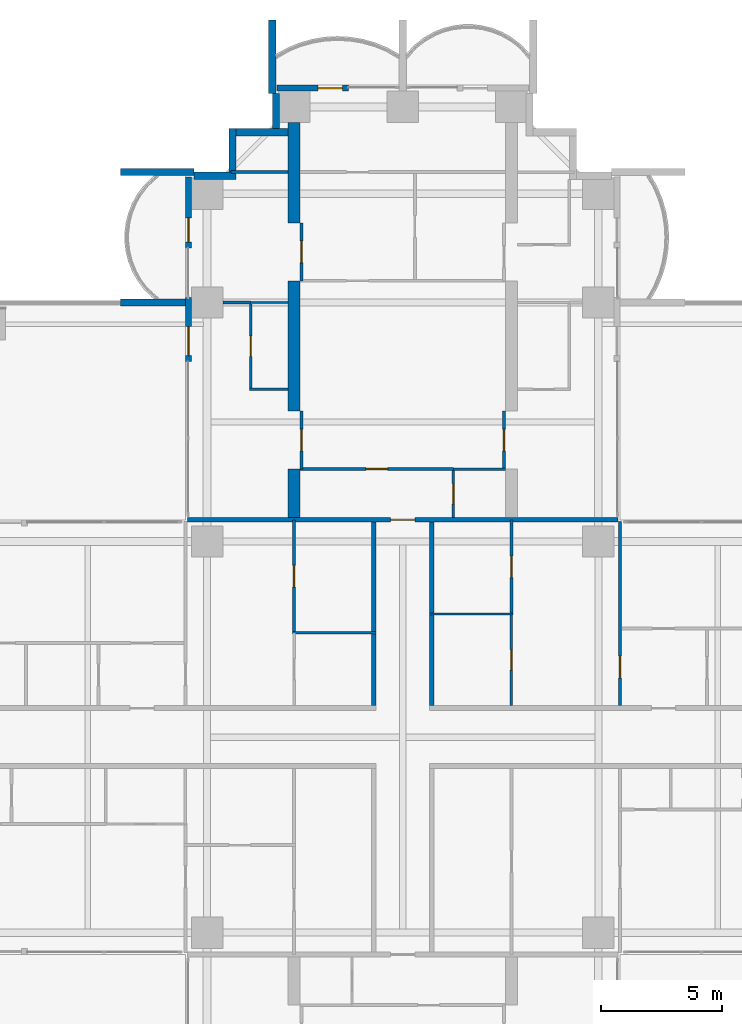
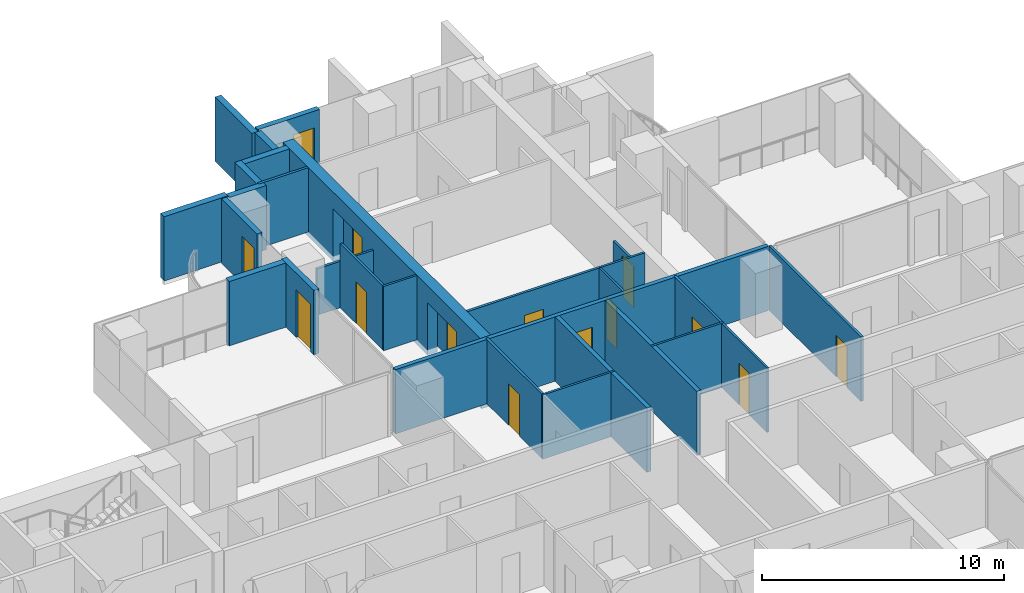
# One storey, part 14 of 21: 31 walls, 14 doors, 14 openings.
"""IFC4 building model written with IfcOpenShell, lengths in metres."""

import ifcopenshell
import ifcopenshell.guid

model = None  # the IFC model being written
_history = None  # IfcOwnerHistory: only IFC2X3 demands one
_inside = {}  # id of a spatial element -> (the spatial element, [elements in it])
_under = {}  # id of a project, library or spatial element -> (it, [spatial elements below it])
_declared = {}  # id of a project -> (the project, [libraries it declares])
_typed = {}  # id of a type object -> (the type object, [elements of that type])
_made_of = {}  # id of a material, layer set ... -> (it, [elements and type objects made of it])


def new_model(schema):
    """Start an empty IFC model of exactly this schema.

    Asked for "IFC4X3", IfcOpenShell would pick the latest addendum, in which some entities
    have other attributes; the version numbers below select the first issue.
    IFC2X3 requires an IfcOwnerHistory on every rooted entity: one is made here for all.
    """
    global model, _history
    if schema == "IFC4X3":
        model = ifcopenshell.file(schema_version=(4, 3, 0, 0))
    else:
        model = ifcopenshell.file(schema=schema)
    _inside.clear()
    _under.clear()
    _declared.clear()
    _typed.clear()
    _made_of.clear()
    _history = None
    if model.schema == "IFC2X3":
        org = make("IfcOrganization", Name="unknown")
        user = make(
            "IfcPersonAndOrganization",
            ThePerson=make("IfcPerson", FamilyName="unknown"),
            TheOrganization=org,
        )
        app = make(
            "IfcApplication",
            ApplicationDeveloper=org,
            Version="unknown",
            ApplicationFullName="unknown",
            ApplicationIdentifier="unknown",
        )
        _history = make(
            "IfcOwnerHistory",
            OwningUser=user,
            OwningApplication=app,
            ChangeAction="ADDED",
            CreationDate=0,
        )
    return model


def make(cls, **values):
    """One entity of the class cls with the attributes given. An attribute that is None is left unset."""
    return model.create_entity(
        cls, **{name: value for name, value in values.items() if value is not None}
    )


def rooted(cls, **values):
    """An entity with a GlobalId (a new one), such as an element, a storey or a relation."""
    return make(cls, GlobalId=ifcopenshell.guid.new(), OwnerHistory=_history, **values)


def si_unit(unit_type, name, prefix=None):
    """IfcSIUnit, for example si_unit("LENGTHUNIT", "METRE", prefix="MILLI")."""
    return make("IfcSIUnit", UnitType=unit_type, Prefix=prefix, Name=name)


def assignment(units):
    """IfcUnitAssignment: the units of a project."""
    return None if units is None else make("IfcUnitAssignment", Units=units)


def point(xyz):
    """IfcCartesianPoint."""
    return None if xyz is None else make("IfcCartesianPoint", Coordinates=xyz)


def direction(xyz):
    """IfcDirection."""
    return None if xyz is None else make("IfcDirection", DirectionRatios=xyz)


def frame(location, z_axis=None, x_axis=None):
    """IfcAxis2Placement3D, a coordinate frame: its origin and axes. An axis left out is left unset."""
    return make(
        "IfcAxis2Placement3D",
        Location=point(location),
        Axis=direction(z_axis),
        RefDirection=direction(x_axis),
    )


def frame_2d(location, x_axis=None):
    """IfcAxis2Placement2D, a coordinate frame in the plane: its origin and x axis."""
    return make(
        "IfcAxis2Placement2D", Location=point(location), RefDirection=direction(x_axis)
    )


def origin():
    """The frame at (0, 0, 0) with its axes left unset."""
    return frame((0.0, 0.0, 0.0))


def place(relative_to, where):
    """IfcLocalPlacement: puts the frame where relative to a parent placement (None: the world)."""
    return make(
        "IfcLocalPlacement", PlacementRelTo=relative_to, RelativePlacement=where
    )


def context(
    kind, dimensions, precision=None, world=None, true_north=None, identifier=None
):
    """IfcGeometricRepresentationContext, for example the 3D "Model" context."""
    return make(
        "IfcGeometricRepresentationContext",
        ContextIdentifier=identifier,
        ContextType=kind,
        CoordinateSpaceDimension=dimensions,
        Precision=precision,
        WorldCoordinateSystem=world,
        TrueNorth=true_north,
    )


def subcontext(parent, identifier, kind, view, scale=None):
    """IfcGeometricRepresentationSubContext, for example "Body" below "Model"."""
    return make(
        "IfcGeometricRepresentationSubContext",
        ContextIdentifier=identifier,
        ContextType=kind,
        ParentContext=parent,
        TargetScale=scale,
        TargetView=view,
    )


def project(units=None, contexts=None):
    """IfcProject with its units and contexts."""
    return rooted(
        "IfcProject",
        Name="project",
        RepresentationContexts=contexts,
        UnitsInContext=assignment(units),
    )


def spatial(cls, under=None, at=None, **own):
    """A site, building, storey or space (cls), placed at a placement, below another one or the project."""
    s = rooted(cls, ObjectPlacement=at, **own)
    if under is not None:
        _under.setdefault(under.id(), (under, []))[1].append(s)
    return s


def polyline(points):
    """IfcPolyline through the points."""
    return make("IfcPolyline", Points=[point(p) for p in points])


def profile(cls, at=None, kind="AREA", **sizes):
    """A parametric profile (cls). Its sizes go by their IFC names, for example OverallWidth=200.0."""
    return make(cls, ProfileType=kind, Position=at, **sizes)


def rectangle(**sizes):
    """IfcRectangleProfileDef."""
    return profile("IfcRectangleProfileDef", **sizes)


def outline(outer, holes=None, kind="AREA"):
    """IfcArbitraryClosedProfileDef: a profile drawn as a closed curve; with holes, ...WithVoids."""
    if holes is None:
        return make("IfcArbitraryClosedProfileDef", ProfileType=kind, OuterCurve=outer)
    return make(
        "IfcArbitraryProfileDefWithVoids",
        ProfileType=kind,
        OuterCurve=outer,
        InnerCurves=holes,
    )


def extrude(swept, where, along, depth):
    """IfcExtrudedAreaSolid: the profile swept, set in the frame where, extruded along a direction by depth."""
    return make(
        "IfcExtrudedAreaSolid",
        SweptArea=swept,
        Position=where,
        ExtrudedDirection=direction(along),
        Depth=depth,
    )


def shape(context_of_items, identifier, shape_type, items):
    """IfcShapeRepresentation: the items that make up one representation, for example the "Body"."""
    return make(
        "IfcShapeRepresentation",
        ContextOfItems=context_of_items,
        RepresentationIdentifier=identifier,
        RepresentationType=shape_type,
        Items=items,
    )


def material(Name=None, Category=None):
    """IfcMaterial."""
    return make("IfcMaterial", Name=Name, Category=Category)


def layer(
    of_material, thickness, ventilated=None, Name=None, Category=None, Priority=None
):
    """IfcMaterialLayer: one layer of a wall or slab, of a material (None: an air gap)."""
    return make(
        "IfcMaterialLayer",
        Material=of_material,
        LayerThickness=thickness,
        IsVentilated=ventilated,
        Name=Name,
        Category=Category,
        Priority=Priority,
    )


def layer_set(layers, Name=None):
    """IfcMaterialLayerSet."""
    return make("IfcMaterialLayerSet", MaterialLayers=layers, LayerSetName=Name)


def material_profile(
    of_material, cross_section, Name=None, Category=None, Priority=None
):
    """IfcMaterialProfile: a cross section and its material."""
    return make(
        "IfcMaterialProfile",
        Name=Name,
        Material=of_material,
        Profile=cross_section,
        Priority=Priority,
        Category=Category,
    )


def profile_set(profiles, Name=None, composite=None):
    """IfcMaterialProfileSet."""
    return make(
        "IfcMaterialProfileSet",
        Name=Name,
        MaterialProfiles=profiles,
        CompositeProfile=composite,
    )


def made_of(thing, what):
    """Note that an element or type object is made of a material, layer set ...; save() writes the relation."""
    if what is not None:
        _made_of.setdefault(what.id(), (what, []))[1].append(thing)
    return thing


def type_object(cls, material=None, **own):
    """A type object (cls), such as IfcWallType, which elements share."""
    return made_of(rooted(cls, **own), material)


def element(
    cls,
    number,
    at=None,
    inside=None,
    cuts=None,
    type_object=None,
    material=None,
    context=None,
    identifier="Body",
    shape_type=None,
    held_by="IfcProductDefinitionShape",
    body=None,
    shapes=None,
    **own,
):
    """One element of the class cls, such as IfcWall. Its Tag is "e" and its number.

    at: its placement. inside: the storey or other place that contains it. cuts: it is an
    opening in that element (IfcRelVoidsElement). A single representation is given by context,
    identifier, shape_type and body (its items); several are given by shapes. held_by: the class
    of the entity that holds the representations. save() writes the other relations.
    """
    e = rooted(cls, Tag="e%d" % number, ObjectPlacement=at, **own)
    if body is not None:
        shapes = [shape(context, identifier, shape_type, body)]
    if shapes is not None:
        e.Representation = make(held_by, Representations=shapes)
    if inside is not None:
        _inside.setdefault(inside.id(), (inside, []))[1].append(e)
    if cuts is not None:
        rooted(
            "IfcRelVoidsElement", RelatingBuildingElement=cuts, RelatedOpeningElement=e
        )
    if type_object is not None:
        _typed.setdefault(type_object.id(), (type_object, []))[1].append(e)
    return made_of(e, material)


def fill(opening, filler):
    """IfcRelFillsElement: the door or window that sits in an opening."""
    return rooted(
        "IfcRelFillsElement",
        RelatingOpeningElement=opening,
        RelatedBuildingElement=filler,
    )


def aggregate(whole, parts):
    """IfcRelAggregates: a whole, such as a stair, and the parts it consists of."""
    return rooted("IfcRelAggregates", RelatingObject=whole, RelatedObjects=parts)


def save(model, path):
    """Write the relations noted so far, then the file.

    IfcRelAggregates (storeys below a building ...), IfcRelContainedInSpatialStructure (elements
    in a storey), IfcRelDefinesByType, IfcRelAssociatesMaterial and IfcRelDeclares: one each for
    every whole, place, type object, material and project.
    """
    for whole, parts in _under.values():
        aggregate(whole, parts)
    for where, things in _inside.values():
        rooted(
            "IfcRelContainedInSpatialStructure",
            RelatedElements=things,
            RelatingStructure=where,
        )
    for kind, things in _typed.values():
        rooted("IfcRelDefinesByType", RelatedObjects=things, RelatingType=kind)
    for what, things in _made_of.values():
        rooted("IfcRelAssociatesMaterial", RelatedObjects=things, RelatingMaterial=what)
    for by, libraries in _declared.values():
        rooted("IfcRelDeclares", RelatingContext=by, RelatedDefinitions=libraries)
    model.write(path)


model = new_model("IFC4")

# Units and contexts
model_context = context("Model", 3, precision=1e-05, world=origin(), true_north=direction((0.0, 1.0)))
body_context = subcontext(model_context, "Body", "Model", "MODEL_VIEW")
ifc_project = project(units=[si_unit("LENGTHUNIT", "METRE"), si_unit("AREAUNIT", "SQUARE_METRE"), si_unit("VOLUMEUNIT", "CUBIC_METRE"), si_unit("PLANEANGLEUNIT", "RADIAN"), si_unit("MASSUNIT", "GRAM", prefix="KILO")], contexts=[model_context])

# Site, building, storey
site_placement = place(None, origin())
site = spatial("IfcSite", under=ifc_project, at=site_placement, CompositionType="ELEMENT")
building_placement = place(site_placement, origin())
building = spatial("IfcBuilding", under=site, at=building_placement, Name="Perihelion Cross Residences", CompositionType="ELEMENT")
storey_placement = place(building_placement, frame((0.0, 0.0, 57.5)))
storey = spatial("IfcBuildingStorey", under=building, at=storey_placement, Name="L11", CompositionType="ELEMENT", Elevation=57.5)

# Walls
ifc_material_1 = material(Name="Plasterboard partition")
ifc_layer_1 = layer(ifc_material_1, 0.199951171875)
ifc_layer_set_1 = layer_set([ifc_layer_1], Name="Apartment separation wall 200")
wall_type_1 = type_object("IfcWallType", Name="Apartment separation wall 200", PredefinedType="PARTITIONING", material=ifc_layer_set_1)
for number, where, z_axis, x_axis, name in (
    (1, (1.199951171875, 8.89990234375, 0.0), (0.0, 0.0, 1.0), (0.0, -1.0, 0.0), "Partition L11 W002"),
    (2, (-1.199951171875, 1.300048828125, 0.0), (0.0, 0.0, 1.0), (0.0, 1.0, 0.0), "Partition L11 W006"),
):
    element("IfcWall", number, at=place(storey_placement, frame(where, z_axis=z_axis, x_axis=x_axis)), inside=storey, type_object=wall_type_1, Name=name, PredefinedType="PARTITIONING", context=body_context, shape_type="SweptSolid", body=[
        extrude(rectangle(XDim=7.599853515625, YDim=0.199951171875, at=frame_2d((3.7998046875, 0.0))), origin(), (0.0, 0.0, 1.0), 3.25),
    ])

# Wall, opening, door
wall_1_placement = place(storey_placement, frame((-8.919921875, 9.0, 0.0), z_axis=(0.0, 0.0, 1.0), x_axis=(1.0, 0.0, 0.0)))
wall_1 = element("IfcWall", 3, at=wall_1_placement, inside=storey, type_object=wall_type_1, Name="Partition L11 W009", PredefinedType="PARTITIONING", context=body_context, shape_type="SweptSolid", body=[
    extrude(rectangle(XDim=17.83984375, YDim=0.199951171875, at=frame_2d((8.919921875, 0.0))), origin(), (0.0, 0.0, 1.0), 3.25),
])
opening_1_placement = place(wall_1_placement, frame((8.419921875, 0.0, 0.0)))
opening_1 = element("IfcOpeningElement", 4, at=opening_1_placement, cuts=wall_1, Name="Opening L11.A36", PredefinedType="OPENING", context=body_context, shape_type="SweptSolid", body=[
    extrude(rectangle(XDim=1.0, YDim=2.10009765625, at=frame_2d((0.5, 1.050048828125))), frame((0.0, 0.10986328125, 0.0), z_axis=(0.0, -1.0, 0.0), x_axis=(1.0, 0.0, 0.0)), (0.0, 0.0, 1.0), 0.219970703125),
])
ifc_material_2 = material(Name="Timber door leaf", Category="wood")
door_type_1 = type_object("IfcDoorType", Name="Flat entrance door 1000 x 2100", OperationType="SINGLE_SWING_LEFT", PredefinedType="DOOR", material=ifc_material_2)
door_1_placement = place(opening_1_placement, origin())
door_1 = element("IfcDoor", 5, at=door_1_placement, inside=storey, type_object=door_type_1, Name="Door L11.A36", OperationType="SINGLE_SWING_RIGHT", OverallHeight=2.10009765625, OverallWidth=1.0, PredefinedType="DOOR", context=body_context, shape_type="SweptSolid", body=[
    extrude(rectangle(XDim=1.0, YDim=2.10009765625, at=frame_2d((0.5, 1.050048828125))), frame((0.0, 0.02490234375, 0.0), z_axis=(0.0, -1.0, 0.0), x_axis=(1.0, 0.0, 0.0)), (0.0, 0.0, 1.0), 0.050048828125),
])
fill(opening_1, door_1)

ifc_material_3 = material(Name="Concrete C30/37, bronze-clad", Category="concrete")
ifc_layer_2 = layer(ifc_material_3, 0.25)
ifc_layer_set_2 = layer_set([ifc_layer_2], Name="Bronze-clad pier wall 250")
wall_type_2 = type_object("IfcWallType", Name="Bronze-clad pier wall 250", PredefinedType="SOLIDWALL", material=ifc_layer_set_2)
wall_2_placement = place(storey_placement, frame((-2.25, 26.875, 0.0), z_axis=(0.0, 0.0, 1.0), x_axis=(-1.0, 0.0, 0.0)))
wall_2 = element("IfcWall", 6, at=wall_2_placement, inside=storey, type_object=wall_type_2, Name="Wall FW1 L11 north tip north bay 2 pier", PredefinedType="SOLIDWALL", context=body_context, shape_type="SweptSolid", body=[
    extrude(rectangle(XDim=2.949951171875, YDim=0.25, at=frame_2d((1.47509765625, 0.0))), origin(), (0.0, 0.0, 1.0), 3.25),
])
opening_2_placement = place(wall_2_placement, frame((0.25, 0.0, 0.0)))
opening_2 = element("IfcOpeningElement", 7, at=opening_2_placement, cuts=wall_2, Name="Opening L11.E05", PredefinedType="OPENING", context=body_context, shape_type="SweptSolid", body=[
    extrude(rectangle(XDim=1.0, YDim=2.39990234375, at=frame_2d((0.5, 1.199951171875))), frame((0.0, 0.135009765625, 0.0), z_axis=(0.0, -1.0, 0.0), x_axis=(1.0, 0.0, 0.0)), (0.0, 0.0, 1.0), 0.27001953125),
])
ifc_material_4 = material(Name="Bronze anodised aluminium, glazed", Category="aluminium")
door_type_2 = type_object("IfcDoorType", Name="Balcony door 1000 x 2400", OperationType="NOTDEFINED", PredefinedType="DOOR", material=ifc_material_4)
door_2_placement = place(opening_2_placement, origin())
door_2 = element("IfcDoor", 8, at=door_2_placement, inside=storey, type_object=door_type_2, Name="Door L11.E05 north tip north bay 2", OperationType="SINGLE_SWING_RIGHT", OverallHeight=2.39990234375, OverallWidth=1.0, PredefinedType="DOOR", context=body_context, shape_type="SweptSolid", body=[
    extrude(rectangle(XDim=1.0, YDim=2.39990234375, at=frame_2d((0.5, 1.199951171875))), frame((0.0, 0.02490234375, 0.0), z_axis=(0.0, -1.0, 0.0), x_axis=(1.0, 0.0, 0.0)), (0.0, 0.0, 1.0), 0.050048828125),
])
fill(opening_2, door_2)

wall_3_placement = place(storey_placement, frame((-8.875, 23.199951171875, 0.0), z_axis=(0.0, 0.0, 1.0), x_axis=(0.0, -1.0, 0.0)))
wall_3 = element("IfcWall", 9, at=wall_3_placement, inside=storey, type_object=wall_type_2, Name="Wall FW1 L11 north side west bay 1 pier", PredefinedType="SOLIDWALL", context=body_context, shape_type="SweptSolid", body=[
    extrude(rectangle(XDim=2.949951171875, YDim=0.25, at=frame_2d((1.47509765625, 0.0))), origin(), (0.0, 0.0, 1.0), 3.25),
])
opening_3_placement = place(wall_3_placement, frame((1.699951171875, 0.0, 0.0)))
opening_3 = element("IfcOpeningElement", 10, at=opening_3_placement, cuts=wall_3, Name="Opening L11.E06", PredefinedType="OPENING", context=body_context, shape_type="SweptSolid", body=[
    extrude(rectangle(XDim=1.0, YDim=2.39990234375, at=frame_2d((0.5, 1.199951171875))), frame((0.0, 0.135009765625, 0.0), z_axis=(0.0, -1.0, 0.0), x_axis=(1.0, 0.0, 0.0)), (0.0, 0.0, 1.0), 0.27001953125),
])
door_3_placement = place(opening_3_placement, origin())
door_3 = element("IfcDoor", 11, at=door_3_placement, inside=storey, type_object=door_type_2, Name="Door L11.E06 north side west bay 1", OperationType="SINGLE_SWING_LEFT", OverallHeight=2.39990234375, OverallWidth=1.0, PredefinedType="DOOR", context=body_context, shape_type="SweptSolid", body=[
    extrude(rectangle(XDim=1.0, YDim=2.39990234375, at=frame_2d((0.5, 1.199951171875))), frame((0.0, 0.02490234375, 0.0), z_axis=(0.0, -1.0, 0.0), x_axis=(1.0, 0.0, 0.0)), (0.0, 0.0, 1.0), 0.050048828125),
])
fill(opening_3, door_3)

wall_4_placement = place(storey_placement, frame((-8.875, 18.199951171875, 0.0), z_axis=(0.0, 0.0, 1.0), x_axis=(0.0, -1.0, 0.0)))
wall_4 = element("IfcWall", 12, at=wall_4_placement, inside=storey, type_object=wall_type_2, Name="Wall FW1 L11 north side west bay 2 pier", PredefinedType="SOLIDWALL", context=body_context, shape_type="SweptSolid", body=[
    extrude(rectangle(XDim=2.64990234375, YDim=0.25, at=frame_2d((1.324951171875, 0.0))), origin(), (0.0, 0.0, 1.0), 3.25),
])
opening_4_placement = place(wall_4_placement, frame((1.199951171875, 0.0, 0.0)))
opening_4 = element("IfcOpeningElement", 13, at=opening_4_placement, cuts=wall_4, Name="Opening L11.E07", PredefinedType="OPENING", context=body_context, shape_type="SweptSolid", body=[
    extrude(rectangle(XDim=1.199951171875, YDim=2.39990234375, at=frame_2d((0.60009765625, 1.199951171875))), frame((0.0, 0.135009765625, 0.0), z_axis=(0.0, -1.0, 0.0), x_axis=(1.0, 0.0, 0.0)), (0.0, 0.0, 1.0), 0.27001953125),
])
ifc_material_5 = material(Name="Bronze anodised aluminium, glazed", Category="aluminium")
door_type_3 = type_object("IfcDoorType", Name="Balcony door 1200 x 2400", OperationType="NOTDEFINED", PredefinedType="DOOR", material=ifc_material_5)
door_4_placement = place(opening_4_placement, origin())
door_4 = element("IfcDoor", 14, at=door_4_placement, inside=storey, type_object=door_type_3, Name="Door L11.E07 north side west bay 2", OperationType="SINGLE_SWING_RIGHT", OverallHeight=2.39990234375, OverallWidth=1.199951171875, PredefinedType="DOOR", context=body_context, shape_type="SweptSolid", body=[
    extrude(rectangle(XDim=1.199951171875, YDim=2.39990234375, at=frame_2d((0.60009765625, 1.199951171875))), frame((0.0, 0.02490234375, 0.0), z_axis=(0.0, -1.0, 0.0), x_axis=(1.0, 0.0, 0.0)), (0.0, 0.0, 1.0), 0.050048828125),
])
fill(opening_4, door_4)

# Walls
ifc_material_6 = material(Name="Concrete C30/37, bronze-clad", Category="concrete")
ifc_layer_3 = layer(ifc_material_6, 0.300048828125)
ifc_layer_set_3 = layer_set([ifc_layer_3], Name="Bronze-clad serration wall 300")
wall_type_3 = type_object("IfcWallType", Name="Bronze-clad serration wall 300", PredefinedType="SOLIDWALL", material=ifc_layer_set_3)
wall_5_placement = place(storey_placement, frame((-5.25, 26.64990234375, 0.0), z_axis=(0.0, 0.0, 1.0), x_axis=(0.0, -1.0, 0.0)))
element("IfcWall", 15, at=wall_5_placement, inside=storey, type_object=wall_type_3, Name="Wall SR1 L11 north corner north-west 1", PredefinedType="SOLIDWALL", context=body_context, shape_type="SweptSolid", body=[
    extrude(rectangle(XDim=1.449951171875, YDim=0.300048828125, at=frame_2d((0.72509765625, 0.0))), origin(), (0.0, 0.0, 1.0), 3.25),
])
wall_6_placement = place(storey_placement, frame((-4.75, 25.050048828125, 0.0), z_axis=(0.0, 0.0, 1.0), x_axis=(-1.0, 0.0, 0.0)))
element("IfcWall", 16, at=wall_6_placement, inside=storey, type_object=wall_type_3, Name="Wall SR1 L11 north corner north-west 2", PredefinedType="SOLIDWALL", context=body_context, shape_type="SweptSolid", body=[
    extrude(rectangle(XDim=2.14990234375, YDim=0.300048828125, at=frame_2d((1.074951171875, 0.0))), origin(), (0.0, 0.0, 1.0), 3.25),
])
wall_7_placement = place(storey_placement, frame((-7.050048828125, 25.199951171875, 0.0), z_axis=(0.0, 0.0, 1.0), x_axis=(0.0, -1.0, 0.0)))
element("IfcWall", 17, at=wall_7_placement, inside=storey, type_object=wall_type_3, Name="Wall SR1 L11 north corner north-west 3", PredefinedType="SOLIDWALL", context=body_context, shape_type="SweptSolid", body=[
    extrude(rectangle(XDim=1.800048828125, YDim=0.300048828125, at=frame_2d((0.89990234375, 0.0))), origin(), (0.0, 0.0, 1.0), 3.25),
])
wall_8_placement = place(storey_placement, frame((-6.89990234375, 23.25, 0.0), z_axis=(0.0, 0.0, 1.0), x_axis=(-1.0, 0.0, 0.0)))
element("IfcWall", 18, at=wall_8_placement, inside=storey, type_object=wall_type_3, Name="Wall SR1 L11 north corner north-west 4", PredefinedType="SOLIDWALL", context=body_context, shape_type="SweptSolid", body=[
    extrude(rectangle(XDim=1.75, YDim=0.300048828125, at=frame_2d((0.875, 0.0))), origin(), (0.0, 0.0, 1.0), 3.25),
])

# Wall, opening, door
ifc_material_7 = material(Name="Plasterboard partition")
ifc_layer_4 = layer(ifc_material_7, 0.1201171875)
ifc_layer_set_4 = layer_set([ifc_layer_4], Name="Infill panel 120")
wall_type_4 = type_object("IfcWallType", Name="Infill panel 120", PredefinedType="PARTITIONING", material=ifc_layer_set_4)
wall_9_placement = place(storey_placement, frame((4.18994140625, 11.10009765625, 0.0), z_axis=(0.0, 0.0, 1.0), x_axis=(0.0, 1.0, 0.0)))
wall_9 = element("IfcWall", 19, at=wall_9_placement, inside=storey, type_object=wall_type_4, Name="Partition L11 WI01", PredefinedType="PARTITIONING", context=body_context, shape_type="SweptSolid", body=[
    extrude(rectangle(XDim=2.39990234375, YDim=0.1201171875, at=frame_2d((1.199951171875, 0.0))), origin(), (0.0, 0.0, 1.0), 2.39990234375),
])
opening_5_placement = place(wall_9_placement, frame((0.75, 0.0, 0.0)))
opening_5 = element("IfcOpeningElement", 20, at=opening_5_placement, cuts=wall_9, Name="Opening L11.A57", PredefinedType="OPENING", context=body_context, shape_type="SweptSolid", body=[
    extrude(rectangle(XDim=0.89990234375, YDim=2.10009765625, at=frame_2d((0.449951171875, 1.050048828125))), frame((0.0, 0.070068359375, 0.0), z_axis=(0.0, -1.0, 0.0), x_axis=(1.0, 0.0, 0.0)), (0.0, 0.0, 1.0), 0.14013671875),
])
ifc_material_8 = material(Name="Timber door leaf", Category="wood")
door_type_4 = type_object("IfcDoorType", Name="Interior room door 900 x 2100", OperationType="SINGLE_SWING_LEFT", PredefinedType="DOOR", material=ifc_material_8)
door_5_placement = place(opening_5_placement, origin())
door_5 = element("IfcDoor", 21, at=door_5_placement, inside=storey, type_object=door_type_4, Name="Door L11.A57", OperationType="SINGLE_SWING_LEFT", OverallHeight=2.10009765625, OverallWidth=0.89990234375, PredefinedType="DOOR", context=body_context, shape_type="SweptSolid", body=[
    extrude(rectangle(XDim=0.89990234375, YDim=2.10009765625, at=frame_2d((0.449951171875, 1.050048828125))), frame((0.0, 0.02490234375, 0.0), z_axis=(0.0, -1.0, 0.0), x_axis=(1.0, 0.0, 0.0)), (0.0, 0.0, 1.0), 0.050048828125),
])
fill(opening_5, door_5)

wall_10_placement = place(storey_placement, frame((-4.18994140625, 11.10009765625, 0.0), z_axis=(0.0, 0.0, 1.0), x_axis=(0.0, 1.0, 0.0)))
wall_10 = element("IfcWall", 22, at=wall_10_placement, inside=storey, type_object=wall_type_4, Name="Partition L11 WI03", PredefinedType="PARTITIONING", context=body_context, shape_type="SweptSolid", body=[
    extrude(rectangle(XDim=2.39990234375, YDim=0.1201171875, at=frame_2d((1.199951171875, 0.0))), origin(), (0.0, 0.0, 1.0), 2.39990234375),
])
opening_6_placement = place(wall_10_placement, frame((0.75, 0.0, 0.0)))
opening_6 = element("IfcOpeningElement", 23, at=opening_6_placement, cuts=wall_10, Name="Opening L11.A59", PredefinedType="OPENING", context=body_context, shape_type="SweptSolid", body=[
    extrude(rectangle(XDim=0.89990234375, YDim=2.10009765625, at=frame_2d((0.449951171875, 1.050048828125))), frame((0.0, 0.070068359375, 0.0), z_axis=(0.0, -1.0, 0.0), x_axis=(1.0, 0.0, 0.0)), (0.0, 0.0, 1.0), 0.14013671875),
])
door_6_placement = place(opening_6_placement, origin())
door_6 = element("IfcDoor", 24, at=door_6_placement, inside=storey, type_object=door_type_4, Name="Door L11.A59", OperationType="SINGLE_SWING_RIGHT", OverallHeight=2.10009765625, OverallWidth=0.89990234375, PredefinedType="DOOR", context=body_context, shape_type="SweptSolid", body=[
    extrude(rectangle(XDim=0.89990234375, YDim=2.10009765625, at=frame_2d((0.449951171875, 1.050048828125))), frame((0.0, 0.02490234375, 0.0), z_axis=(0.0, -1.0, 0.0), x_axis=(1.0, 0.0, 0.0)), (0.0, 0.0, 1.0), 0.050048828125),
])
fill(opening_6, door_6)

wall_11_placement = place(storey_placement, frame((-4.18994140625, 18.89990234375, 0.0), z_axis=(0.0, 0.0, 1.0), x_axis=(0.0, 1.0, 0.0)))
wall_11 = element("IfcWall", 25, at=wall_11_placement, inside=storey, type_object=wall_type_4, Name="Partition L11 WI04", PredefinedType="PARTITIONING", context=body_context, shape_type="SweptSolid", body=[
    extrude(rectangle(XDim=2.400146484375, YDim=0.1201171875, at=frame_2d((1.2001953125, 0.0))), origin(), (0.0, 0.0, 1.0), 2.39990234375),
])
opening_7_placement = place(wall_11_placement, frame((0.75, 0.0, 0.0)))
opening_7 = element("IfcOpeningElement", 26, at=opening_7_placement, cuts=wall_11, Name="Opening L11.A60", PredefinedType="OPENING", context=body_context, shape_type="SweptSolid", body=[
    extrude(rectangle(XDim=0.89990234375, YDim=2.10009765625, at=frame_2d((0.449951171875, 1.050048828125))), frame((0.0, 0.070068359375, 0.0), z_axis=(0.0, -1.0, 0.0), x_axis=(1.0, 0.0, 0.0)), (0.0, 0.0, 1.0), 0.14013671875),
])
door_7_placement = place(opening_7_placement, origin())
door_7 = element("IfcDoor", 27, at=door_7_placement, inside=storey, type_object=door_type_4, Name="Door L11.A60", OperationType="SINGLE_SWING_LEFT", OverallHeight=2.10009765625, OverallWidth=0.89990234375, PredefinedType="DOOR", context=body_context, shape_type="SweptSolid", body=[
    extrude(rectangle(XDim=0.89990234375, YDim=2.10009765625, at=frame_2d((0.449951171875, 1.050048828125))), frame((0.0, 0.02490234375, 0.0), z_axis=(0.0, -1.0, 0.0), x_axis=(1.0, 0.0, 0.0)), (0.0, 0.0, 1.0), 0.050048828125),
])
fill(opening_7, door_7)

ifc_material_9 = material(Name="Plasterboard partition")
ifc_layer_5 = layer(ifc_material_9, 0.1201171875)
ifc_layer_set_5 = layer_set([ifc_layer_5], Name="Partition wall 120")
wall_type_5 = type_object("IfcWallType", Name="Partition wall 120", PredefinedType="PARTITIONING", material=ifc_layer_set_5)
wall_12_placement = place(storey_placement, frame((9.0, 1.300048828125, 0.0), z_axis=(0.0, 0.0, 1.0), x_axis=(0.0, 1.0, 0.0)))
wall_12 = element("IfcWall", 28, at=wall_12_placement, inside=storey, type_object=wall_type_5, Name="Partition L11 W013", PredefinedType="PARTITIONING", context=body_context, shape_type="SweptSolid", body=[
    extrude(rectangle(XDim=7.619873046875, YDim=0.1201171875, at=frame_2d((3.81005859375, 0.0))), origin(), (0.0, 0.0, 1.0), 3.25),
])
opening_8_placement = place(wall_12_placement, frame((1.14990234375, 0.0, 0.0)))
opening_8 = element("IfcOpeningElement", 29, at=opening_8_placement, cuts=wall_12, Name="Opening L11.A04", PredefinedType="OPENING", context=body_context, shape_type="SweptSolid", body=[
    extrude(rectangle(XDim=0.89990234375, YDim=2.10009765625, at=frame_2d((0.449951171875, 1.050048828125))), frame((0.0, 0.070068359375, 0.0), z_axis=(0.0, -1.0, 0.0), x_axis=(1.0, 0.0, 0.0)), (0.0, 0.0, 1.0), 0.14013671875),
])
door_8_placement = place(opening_8_placement, origin())
door_8 = element("IfcDoor", 30, at=door_8_placement, inside=storey, type_object=door_type_4, Name="Door L11.A04", OperationType="SINGLE_SWING_RIGHT", OverallHeight=2.10009765625, OverallWidth=0.89990234375, PredefinedType="DOOR", context=body_context, shape_type="SweptSolid", body=[
    extrude(rectangle(XDim=0.89990234375, YDim=2.10009765625, at=frame_2d((0.449951171875, 1.050048828125))), frame((0.0, 0.02490234375, 0.0), z_axis=(0.0, -1.0, 0.0), x_axis=(1.0, 0.0, 0.0)), (0.0, 0.0, 1.0), 0.050048828125),
])
fill(opening_8, door_8)

wall_13_placement = place(storey_placement, frame((4.5, 5.10009765625, 0.0), z_axis=(0.0, 0.0, 1.0), x_axis=(0.0, 1.0, 0.0)))
wall_13 = element("IfcWall", 31, at=wall_13_placement, inside=storey, type_object=wall_type_5, Name="Partition L11 W020", PredefinedType="PARTITIONING", context=body_context, shape_type="SweptSolid", body=[
    extrude(rectangle(XDim=3.89990234375, YDim=0.1201171875, at=frame_2d((1.949951171875, 0.0))), origin(), (0.0, 0.0, 1.0), 3.25),
])
opening_9_placement = place(wall_13_placement, frame((1.5, 0.0, 0.0)))
opening_9 = element("IfcOpeningElement", 32, at=opening_9_placement, cuts=wall_13, Name="Opening L11.A07", PredefinedType="OPENING", context=body_context, shape_type="SweptSolid", body=[
    extrude(rectangle(XDim=0.89990234375, YDim=2.10009765625, at=frame_2d((0.449951171875, 1.050048828125))), frame((0.0, 0.070068359375, 0.0), z_axis=(0.0, -1.0, 0.0), x_axis=(1.0, 0.0, 0.0)), (0.0, 0.0, 1.0), 0.14013671875),
])
door_9_placement = place(opening_9_placement, origin())
door_9 = element("IfcDoor", 33, at=door_9_placement, inside=storey, type_object=door_type_4, Name="Door L11.A07", OperationType="SINGLE_SWING_RIGHT", OverallHeight=2.10009765625, OverallWidth=0.89990234375, PredefinedType="DOOR", context=body_context, shape_type="SweptSolid", body=[
    extrude(rectangle(XDim=0.89990234375, YDim=2.10009765625, at=frame_2d((0.449951171875, 1.050048828125))), frame((0.0, 0.02490234375, 0.0), z_axis=(0.0, -1.0, 0.0), x_axis=(1.0, 0.0, 0.0)), (0.0, 0.0, 1.0), 0.050048828125),
])
fill(opening_9, door_9)

wall_14_placement = place(storey_placement, frame((-4.5, 9.0, 0.0), z_axis=(0.0, 0.0, 1.0), x_axis=(0.0, -1.0, 0.0)))
wall_14 = element("IfcWall", 34, at=wall_14_placement, inside=storey, type_object=wall_type_5, Name="Partition L11 W044", PredefinedType="PARTITIONING", context=body_context, shape_type="SweptSolid", body=[
    extrude(rectangle(XDim=4.679931640625, YDim=0.1201171875, at=frame_2d((2.33984375, 0.0))), origin(), (0.0, 0.0, 1.0), 3.25),
])
opening_10_placement = place(wall_14_placement, frame((1.889892578125, 0.0, 0.0)))
opening_10 = element("IfcOpeningElement", 35, at=opening_10_placement, cuts=wall_14, Name="Opening L11.A23", PredefinedType="OPENING", context=body_context, shape_type="SweptSolid", body=[
    extrude(rectangle(XDim=0.89990234375, YDim=2.10009765625, at=frame_2d((0.449951171875, 1.050048828125))), frame((0.0, 0.070068359375, 0.0), z_axis=(0.0, -1.0, 0.0), x_axis=(1.0, 0.0, 0.0)), (0.0, 0.0, 1.0), 0.14013671875),
])
door_10_placement = place(opening_10_placement, origin())
door_10 = element("IfcDoor", 36, at=door_10_placement, inside=storey, type_object=door_type_4, Name="Door L11.A23", OperationType="SINGLE_SWING_RIGHT", OverallHeight=2.10009765625, OverallWidth=0.89990234375, PredefinedType="DOOR", context=body_context, shape_type="SweptSolid", body=[
    extrude(rectangle(XDim=0.89990234375, YDim=2.10009765625, at=frame_2d((0.449951171875, 1.050048828125))), frame((0.0, 0.02490234375, 0.0), z_axis=(0.0, -1.0, 0.0), x_axis=(1.0, 0.0, 0.0)), (0.0, 0.0, 1.0), 0.050048828125),
])
fill(opening_10, door_10)

wall_15_placement = place(storey_placement, frame((-4.25, 11.10009765625, 0.0), z_axis=(0.0, 0.0, 1.0), x_axis=(1.0, 0.0, 0.0)))
wall_15 = element("IfcWall", 37, at=wall_15_placement, inside=storey, type_object=wall_type_5, Name="Partition L11 W061", PredefinedType="PARTITIONING", context=body_context, shape_type="SweptSolid", body=[
    extrude(rectangle(XDim=6.35009765625, YDim=0.1201171875, at=frame_2d((3.175048828125, 0.0))), origin(), (0.0, 0.0, 1.0), 3.25),
])
opening_11_placement = place(wall_15_placement, frame((2.72509765625, 0.0, 0.0)))
opening_11 = element("IfcOpeningElement", 38, at=opening_11_placement, cuts=wall_15, Name="Opening L11.A38", PredefinedType="OPENING", context=body_context, shape_type="SweptSolid", body=[
    extrude(rectangle(XDim=0.89990234375, YDim=2.10009765625, at=frame_2d((0.449951171875, 1.050048828125))), frame((0.0, 0.070068359375, 0.0), z_axis=(0.0, -1.0, 0.0), x_axis=(1.0, 0.0, 0.0)), (0.0, 0.0, 1.0), 0.14013671875),
])
door_11_placement = place(opening_11_placement, origin())
door_11 = element("IfcDoor", 39, at=door_11_placement, inside=storey, type_object=door_type_4, Name="Door L11.A38", OperationType="SINGLE_SWING_LEFT", OverallHeight=2.10009765625, OverallWidth=0.89990234375, PredefinedType="DOOR", context=body_context, shape_type="SweptSolid", body=[
    extrude(rectangle(XDim=0.89990234375, YDim=2.10009765625, at=frame_2d((0.449951171875, 1.050048828125))), frame((0.0, 0.02490234375, 0.0), z_axis=(0.0, -1.0, 0.0), x_axis=(1.0, 0.0, 0.0)), (0.0, 0.0, 1.0), 0.050048828125),
])
fill(opening_11, door_11)

# Walls
wall_16_placement = place(storey_placement, frame((-7.449951171875, 18.0, 0.0), z_axis=(0.0, 0.0, 1.0), x_axis=(1.0, 0.0, 0.0)))
element("IfcWall", 40, at=wall_16_placement, inside=storey, type_object=wall_type_5, Name="Partition L11 W075", PredefinedType="PARTITIONING", context=body_context, shape_type="SweptSolid", body=[
    extrude(rectangle(XDim=1.14990234375, YDim=0.1201171875, at=frame_2d((0.574951171875, 0.0))), origin(), (0.0, 0.0, 1.0), 2.345947265625),
])
wall_17_placement = place(storey_placement, frame((-7.1201171875, 23.39990234375, 0.0), z_axis=(0.0, 0.0, 1.0), x_axis=(1.0, 0.0, 0.0)))
element("IfcWall", 41, at=wall_17_placement, inside=storey, type_object=wall_type_5, Name="Partition L11 W077", PredefinedType="PARTITIONING", context=body_context, shape_type="SweptSolid", body=[
    extrude(rectangle(XDim=2.3701171875, YDim=0.1201171875, at=frame_2d((1.18505859375, 0.0))), origin(), (0.0, 0.0, 1.0), 3.25),
])
ifc_material_10 = material(Name="Precast concrete C50/60", Category="concrete")
ifc_layer_6 = layer(ifc_material_10, 0.300048828125)
ifc_layer_set_6 = layer_set([ifc_layer_6], Name="Precast concrete C50/60 blade wall 300")
wall_type_6 = type_object("IfcWallType", Name="Precast concrete C50/60 blade wall 300", PredefinedType="SOLIDWALL", material=ifc_layer_set_6)
wall_18_placement = place(storey_placement, frame((-8.75, 18.0, 0.0), z_axis=(0.0, 0.0, 1.0), x_axis=(-1.0, 0.0, 0.0)))
element("IfcWall", 42, at=wall_18_placement, inside=storey, type_object=wall_type_6, Name="Wall BL1 L11 no. 7", PredefinedType="SOLIDWALL", context=body_context, shape_type="SweptSolid", body=[
    extrude(rectangle(XDim=2.949951171875, YDim=0.300048828125, at=frame_2d((1.47509765625, 0.0))), origin(), (0.0, 0.0, 1.0), 3.25),
])
for number, where, z_axis, x_axis, name in (
    (43, (-8.64990234375, 23.39990234375, 0.0), (0.0, 0.0, 1.0), (-1.0, 0.0, 0.0), "Wall BL1 L11 no. 8"),
    (44, (-5.39990234375, 26.64990234375, 0.0), (0.0, 0.0, 1.0), (0.0, 1.0, 0.0), "Wall BL1 L11 no. 4"),
):
    element("IfcWall", number, at=place(storey_placement, frame(where, z_axis=z_axis, x_axis=x_axis)), inside=storey, type_object=wall_type_6, Name=name, PredefinedType="SOLIDWALL", context=body_context, shape_type="SweptSolid", body=[
        extrude(rectangle(XDim=3.050048828125, YDim=0.300048828125, at=frame_2d((1.52490234375, 0.0))), origin(), (0.0, 0.0, 1.0), 3.25),
    ])
ifc_material_11 = material(Name="Concrete C60/75", Category="concrete")
ifc_material_profile = material_profile(ifc_material_11, outline(polyline([(0.0, 0.0), (2.10009765625, 0.0), (2.10009765625, 2.64990234375), (4.5, 2.64990234375), (4.5, 0.0), (9.89990234375, 0.0), (9.89990234375, 2.64990234375), (12.300048828125, 2.64990234375), (12.300048828125, 0.0), (16.449951171875, 0.0), (16.449951171875, 3.5), (0.0, 3.5), (0.0, 0.0)])), Name="Tip spine wall")
ifc_profile_set = profile_set([ifc_material_profile], Name="Concrete C60/75")
wall_type_7 = type_object("IfcWallType", Name="Tip spine wall 500 with 2 door openings 16450 long 3500 high concrete C60/75 hand B", PredefinedType="SHEAR", material=ifc_profile_set)
wall_19_placement = place(storey_placement, frame((-4.75, 9.0, -0.25), z_axis=(1.0, 0.0, 0.0), x_axis=(0.0, 1.0, 0.0)))
element("IfcWall", 45, at=wall_19_placement, inside=storey, type_object=wall_type_7, Name="Shear wall SW23 L11 north west", PredefinedType="SHEAR", context=body_context, shape_type="SweptSolid", body=[
    extrude(outline(polyline([(0.0, 0.0), (2.10009765625, 0.0), (2.10009765625, 2.64990234375), (4.5, 2.64990234375), (4.5, 0.0), (9.89990234375, 0.0), (9.89990234375, 2.64990234375), (12.300048828125, 2.64990234375), (12.300048828125, 0.0), (16.449951171875, 0.0), (16.449951171875, 3.5), (0.0, 3.5), (0.0, 0.0)])), origin(), (0.0, 0.0, 1.0), 0.5),
])

# Wall, opening, door
ifc_material_12 = material(Name="Plasterboard partition")
ifc_layer_7 = layer(ifc_material_12, 0.10009765625)
ifc_layer_set_7 = layer_set([ifc_layer_7], Name="Wet room wall 100")
wall_type_8 = type_object("IfcWallType", Name="Wet room wall 100", PredefinedType="PARTITIONING", material=ifc_layer_set_7)
wall_20_placement = place(storey_placement, frame((4.5, 1.300048828125, 0.0), z_axis=(0.0, 0.0, 1.0), x_axis=(0.0, 1.0, 0.0)))
wall_20 = element("IfcWall", 46, at=wall_20_placement, inside=storey, type_object=wall_type_8, Name="Partition L11 W019", PredefinedType="PARTITIONING", context=body_context, shape_type="SweptSolid", body=[
    extrude(rectangle(XDim=3.800048828125, YDim=0.10009765625, at=frame_2d((1.89990234375, 0.0))), origin(), (0.0, 0.0, 1.0), 3.25),
])
opening_12_placement = place(wall_20_placement, frame((1.47509765625, 0.0, 0.0)))
opening_12 = element("IfcOpeningElement", 47, at=opening_12_placement, cuts=wall_20, Name="Opening L11.A03", PredefinedType="OPENING", context=body_context, shape_type="SweptSolid", body=[
    extrude(rectangle(XDim=0.85009765625, YDim=2.10009765625, at=frame_2d((0.425048828125, 1.050048828125))), frame((0.0, 0.06005859375, 0.0), z_axis=(0.0, -1.0, 0.0), x_axis=(1.0, 0.0, 0.0)), (0.0, 0.0, 1.0), 0.1201171875),
])
ifc_material_13 = material(Name="Timber door leaf", Category="wood")
door_type_5 = type_object("IfcDoorType", Name="Interior bathroom door 850 x 2100", OperationType="SINGLE_SWING_LEFT", PredefinedType="DOOR", material=ifc_material_13)
door_12_placement = place(opening_12_placement, origin())
door_12 = element("IfcDoor", 48, at=door_12_placement, inside=storey, type_object=door_type_5, Name="Door L11.A03", OperationType="SINGLE_SWING_RIGHT", OverallHeight=2.10009765625, OverallWidth=0.85009765625, PredefinedType="DOOR", context=body_context, shape_type="SweptSolid", body=[
    extrude(rectangle(XDim=0.85009765625, YDim=2.10009765625, at=frame_2d((0.425048828125, 1.050048828125))), frame((0.0, 0.02490234375, 0.0), z_axis=(0.0, -1.0, 0.0), x_axis=(1.0, 0.0, 0.0)), (0.0, 0.0, 1.0), 0.050048828125),
])
fill(opening_12, door_12)

# Walls
for number, where, z_axis, x_axis, name in (
    (49, (1.10009765625, 5.10009765625, 0.0), (0.0, 0.0, 1.0), (1.0, 0.0, 0.0), "Partition L11 W021"),
    (50, (-4.56005859375, 4.320068359375, 0.0), (0.0, 0.0, 1.0), (1.0, 0.0, 0.0), "Partition L11 W045"),
):
    element("IfcWall", number, at=place(storey_placement, frame(where, z_axis=z_axis, x_axis=x_axis)), inside=storey, type_object=wall_type_8, Name=name, PredefinedType="PARTITIONING", context=body_context, shape_type="SweptSolid", body=[
        extrude(rectangle(XDim=3.4599609375, YDim=0.10009765625, at=frame_2d((1.72998046875, 0.0))), origin(), (0.0, 0.0, 1.0), 3.25),
    ])

# Wall, opening, door
wall_21_placement = place(storey_placement, frame((2.10009765625, 11.0400390625, 0.0), z_axis=(0.0, 0.0, 1.0), x_axis=(0.0, -1.0, 0.0)))
wall_21 = element("IfcWall", 51, at=wall_21_placement, inside=storey, type_object=wall_type_8, Name="Partition L11 W060", PredefinedType="PARTITIONING", context=body_context, shape_type="SweptSolid", body=[
    extrude(rectangle(XDim=1.93994140625, YDim=0.10009765625, at=frame_2d((0.969970703125, 0.0))), origin(), (0.0, 0.0, 1.0), 3.25),
])
opening_13_placement = place(wall_21_placement, frame((0.544921875, 0.0, 0.0)))
opening_13 = element("IfcOpeningElement", 52, at=opening_13_placement, cuts=wall_21, Name="Opening L11.A37", PredefinedType="OPENING", context=body_context, shape_type="SweptSolid", body=[
    extrude(rectangle(XDim=0.85009765625, YDim=2.10009765625, at=frame_2d((0.425048828125, 1.050048828125))), frame((0.0, 0.06005859375, 0.0), z_axis=(0.0, -1.0, 0.0), x_axis=(1.0, 0.0, 0.0)), (0.0, 0.0, 1.0), 0.1201171875),
])
door_13_placement = place(opening_13_placement, origin())
door_13 = element("IfcDoor", 53, at=door_13_placement, inside=storey, type_object=door_type_5, Name="Door L11.A37", OperationType="SINGLE_SWING_LEFT", OverallHeight=2.10009765625, OverallWidth=0.85009765625, PredefinedType="DOOR", context=body_context, shape_type="SweptSolid", body=[
    extrude(rectangle(XDim=0.85009765625, YDim=2.10009765625, at=frame_2d((0.425048828125, 1.050048828125))), frame((0.0, 0.02490234375, 0.0), z_axis=(0.0, -1.0, 0.0), x_axis=(1.0, 0.0, 0.0)), (0.0, 0.0, 1.0), 0.050048828125),
])
fill(opening_13, door_13)

# Wall
wall_22_placement = place(storey_placement, frame((2.10009765625, 11.10009765625, 0.0), z_axis=(0.0, 0.0, 1.0), x_axis=(1.0, 0.0, 0.0)))
element("IfcWall", 54, at=wall_22_placement, inside=storey, type_object=wall_type_8, Name="Partition L11 W062", PredefinedType="PARTITIONING", context=body_context, shape_type="SweptSolid", body=[
    extrude(rectangle(XDim=2.14990234375, YDim=0.10009765625, at=frame_2d((1.074951171875, 0.0))), origin(), (0.0, 0.0, 1.0), 3.25),
])

# Wall, opening, door
wall_23_placement = place(storey_placement, frame((-6.300048828125, 17.93994140625, 0.0), z_axis=(0.0, 0.0, 1.0), x_axis=(0.0, -1.0, 0.0)))
wall_23 = element("IfcWall", 55, at=wall_23_placement, inside=storey, type_object=wall_type_8, Name="Partition L11 W073", PredefinedType="PARTITIONING", context=body_context, shape_type="SweptSolid", body=[
    extrude(rectangle(XDim=3.489990234375, YDim=0.10009765625, at=frame_2d((1.7451171875, 0.0))), origin(), (0.0, 0.0, 1.0), 3.25),
])
opening_14_placement = place(wall_23_placement, frame((1.320068359375, 0.0, 0.0)))
opening_14 = element("IfcOpeningElement", 56, at=opening_14_placement, cuts=wall_23, Name="Opening L11.A44", PredefinedType="OPENING", context=body_context, shape_type="SweptSolid", body=[
    extrude(rectangle(XDim=0.85009765625, YDim=2.10009765625, at=frame_2d((0.425048828125, 1.050048828125))), frame((0.0, 0.06005859375, 0.0), z_axis=(0.0, -1.0, 0.0), x_axis=(1.0, 0.0, 0.0)), (0.0, 0.0, 1.0), 0.1201171875),
])
door_14_placement = place(opening_14_placement, origin())
door_14 = element("IfcDoor", 57, at=door_14_placement, inside=storey, type_object=door_type_5, Name="Door L11.A44", OperationType="SINGLE_SWING_LEFT", OverallHeight=2.10009765625, OverallWidth=0.85009765625, PredefinedType="DOOR", context=body_context, shape_type="SweptSolid", body=[
    extrude(rectangle(XDim=0.85009765625, YDim=2.10009765625, at=frame_2d((0.425048828125, 1.050048828125))), frame((0.0, 0.02490234375, 0.0), z_axis=(0.0, -1.0, 0.0), x_axis=(1.0, 0.0, 0.0)), (0.0, 0.0, 1.0), 0.050048828125),
])
fill(opening_14, door_14)

# Walls
wall_24_placement = place(storey_placement, frame((-6.35009765625, 14.39990234375, 0.0), z_axis=(0.0, 0.0, 1.0), x_axis=(1.0, 0.0, 0.0)))
element("IfcWall", 58, at=wall_24_placement, inside=storey, type_object=wall_type_8, Name="Partition L11 W074", PredefinedType="PARTITIONING", context=body_context, shape_type="SweptSolid", body=[
    extrude(rectangle(XDim=1.60009765625, YDim=0.10009765625, at=frame_2d((0.800048828125, 0.0))), origin(), (0.0, 0.0, 1.0), 3.25),
])
wall_25_placement = place(storey_placement, frame((-6.300048828125, 18.0, 0.0), z_axis=(0.0, 0.0, 1.0), x_axis=(1.0, 0.0, 0.0)))
element("IfcWall", 59, at=wall_25_placement, inside=storey, type_object=wall_type_8, Name="Partition L11 W076", PredefinedType="PARTITIONING", context=body_context, shape_type="SweptSolid", body=[
    extrude(rectangle(XDim=1.550048828125, YDim=0.10009765625, at=frame_2d((0.77490234375, 0.0))), origin(), (0.0, 0.0, 1.0), 2.345947265625),
])

save(model, "model.ifc")
